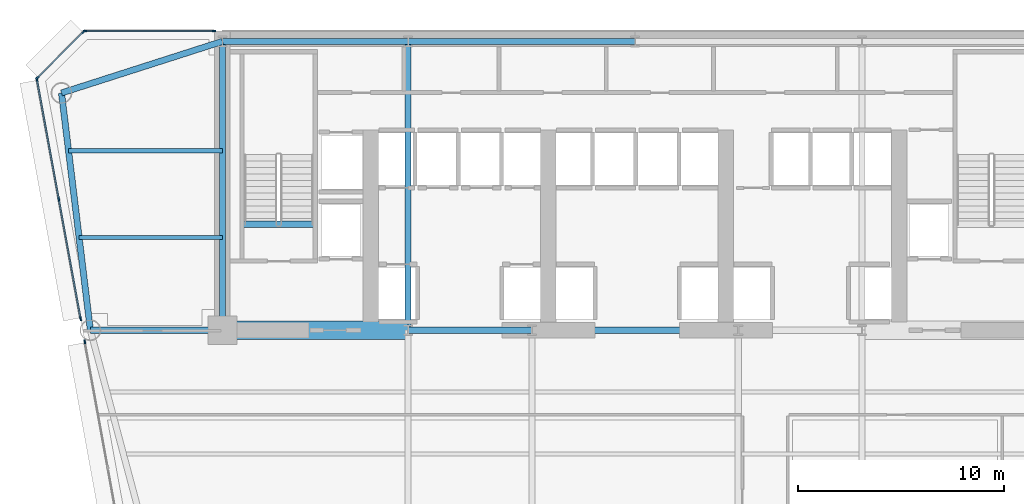
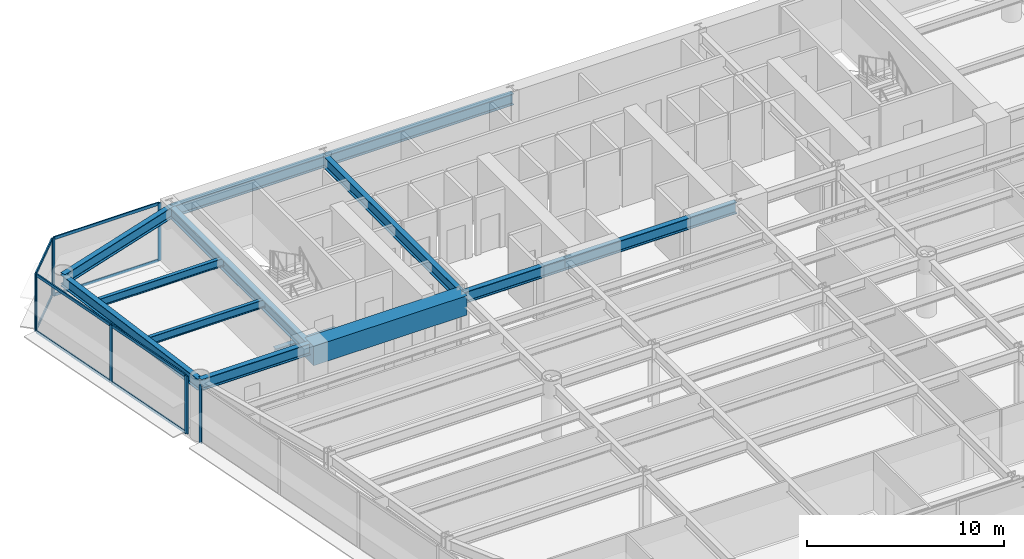
# One storey, part 6 of 15: 16 members, 13 beams, 4 elements without a shape of their own.
"""IFC4 building model written with IfcOpenShell, lengths in metres."""

import ifcopenshell
import ifcopenshell.guid

model = None  # the IFC model being written
_history = None  # IfcOwnerHistory: only IFC2X3 demands one
_inside = {}  # id of a spatial element -> (the spatial element, [elements in it])
_under = {}  # id of a project, library or spatial element -> (it, [spatial elements below it])
_declared = {}  # id of a project -> (the project, [libraries it declares])
_typed = {}  # id of a type object -> (the type object, [elements of that type])
_made_of = {}  # id of a material, layer set ... -> (it, [elements and type objects made of it])


def new_model(schema):
    """Start an empty IFC model of exactly this schema.

    Asked for "IFC4X3", IfcOpenShell would pick the latest addendum, in which some entities
    have other attributes; the version numbers below select the first issue.
    IFC2X3 requires an IfcOwnerHistory on every rooted entity: one is made here for all.
    """
    global model, _history
    if schema == "IFC4X3":
        model = ifcopenshell.file(schema_version=(4, 3, 0, 0))
    else:
        model = ifcopenshell.file(schema=schema)
    _inside.clear()
    _under.clear()
    _declared.clear()
    _typed.clear()
    _made_of.clear()
    _history = None
    if model.schema == "IFC2X3":
        org = make("IfcOrganization", Name="unknown")
        user = make(
            "IfcPersonAndOrganization",
            ThePerson=make("IfcPerson", FamilyName="unknown"),
            TheOrganization=org,
        )
        app = make(
            "IfcApplication",
            ApplicationDeveloper=org,
            Version="unknown",
            ApplicationFullName="unknown",
            ApplicationIdentifier="unknown",
        )
        _history = make(
            "IfcOwnerHistory",
            OwningUser=user,
            OwningApplication=app,
            ChangeAction="ADDED",
            CreationDate=0,
        )
    return model


def make(cls, **values):
    """One entity of the class cls with the attributes given. An attribute that is None is left unset."""
    return model.create_entity(
        cls, **{name: value for name, value in values.items() if value is not None}
    )


def rooted(cls, **values):
    """An entity with a GlobalId (a new one), such as an element, a storey or a relation."""
    return make(cls, GlobalId=ifcopenshell.guid.new(), OwnerHistory=_history, **values)


def si_unit(unit_type, name, prefix=None):
    """IfcSIUnit, for example si_unit("LENGTHUNIT", "METRE", prefix="MILLI")."""
    return make("IfcSIUnit", UnitType=unit_type, Prefix=prefix, Name=name)


def assignment(units):
    """IfcUnitAssignment: the units of a project."""
    return None if units is None else make("IfcUnitAssignment", Units=units)


def point(xyz):
    """IfcCartesianPoint."""
    return None if xyz is None else make("IfcCartesianPoint", Coordinates=xyz)


def direction(xyz):
    """IfcDirection."""
    return None if xyz is None else make("IfcDirection", DirectionRatios=xyz)


def frame(location, z_axis=None, x_axis=None):
    """IfcAxis2Placement3D, a coordinate frame: its origin and axes. An axis left out is left unset."""
    return make(
        "IfcAxis2Placement3D",
        Location=point(location),
        Axis=direction(z_axis),
        RefDirection=direction(x_axis),
    )


def frame_2d(location, x_axis=None):
    """IfcAxis2Placement2D, a coordinate frame in the plane: its origin and x axis."""
    return make(
        "IfcAxis2Placement2D", Location=point(location), RefDirection=direction(x_axis)
    )


def origin():
    """The frame at (0, 0, 0) with its axes left unset."""
    return frame((0.0, 0.0, 0.0))


def origin_2d():
    """The frame at (0, 0) in the plane with its x axis left unset."""
    return frame_2d((0.0, 0.0))


def place(relative_to, where):
    """IfcLocalPlacement: puts the frame where relative to a parent placement (None: the world)."""
    return make(
        "IfcLocalPlacement", PlacementRelTo=relative_to, RelativePlacement=where
    )


def context(
    kind, dimensions, precision=None, world=None, true_north=None, identifier=None
):
    """IfcGeometricRepresentationContext, for example the 3D "Model" context."""
    return make(
        "IfcGeometricRepresentationContext",
        ContextIdentifier=identifier,
        ContextType=kind,
        CoordinateSpaceDimension=dimensions,
        Precision=precision,
        WorldCoordinateSystem=world,
        TrueNorth=true_north,
    )


def subcontext(parent, identifier, kind, view, scale=None):
    """IfcGeometricRepresentationSubContext, for example "Body" below "Model"."""
    return make(
        "IfcGeometricRepresentationSubContext",
        ContextIdentifier=identifier,
        ContextType=kind,
        ParentContext=parent,
        TargetScale=scale,
        TargetView=view,
    )


def project(units=None, contexts=None):
    """IfcProject with its units and contexts."""
    return rooted(
        "IfcProject",
        Name="project",
        RepresentationContexts=contexts,
        UnitsInContext=assignment(units),
    )


def spatial(cls, under=None, at=None, **own):
    """A site, building, storey or space (cls), placed at a placement, below another one or the project."""
    s = rooted(cls, ObjectPlacement=at, **own)
    if under is not None:
        _under.setdefault(under.id(), (under, []))[1].append(s)
    return s


def profile(cls, at=None, kind="AREA", **sizes):
    """A parametric profile (cls). Its sizes go by their IFC names, for example OverallWidth=200.0."""
    return make(cls, ProfileType=kind, Position=at, **sizes)


def rectangle(**sizes):
    """IfcRectangleProfileDef."""
    return profile("IfcRectangleProfileDef", **sizes)


def i_section(**sizes):
    """IfcIShapeProfileDef."""
    return profile("IfcIShapeProfileDef", **sizes)


def extrude(swept, where, along, depth):
    """IfcExtrudedAreaSolid: the profile swept, set in the frame where, extruded along a direction by depth."""
    return make(
        "IfcExtrudedAreaSolid",
        SweptArea=swept,
        Position=where,
        ExtrudedDirection=direction(along),
        Depth=depth,
    )


def shape(context_of_items, identifier, shape_type, items):
    """IfcShapeRepresentation: the items that make up one representation, for example the "Body"."""
    return make(
        "IfcShapeRepresentation",
        ContextOfItems=context_of_items,
        RepresentationIdentifier=identifier,
        RepresentationType=shape_type,
        Items=items,
    )


def source(mapping_origin, context_of_items, identifier, shape_type, items):
    """IfcRepresentationMap: a shape defined once, which mapped items show again and again."""
    return make(
        "IfcRepresentationMap",
        MappingOrigin=mapping_origin,
        MappedRepresentation=shape(context_of_items, identifier, shape_type, items),
    )


def transform(
    local_origin,
    x_axis=None,
    y_axis=None,
    z_axis=None,
    scale=None,
    scale2=None,
    scale3=None,
    uniform=True,
):
    """IfcCartesianTransformationOperator3D, or its non-uniform kind. x_axis, y_axis, z_axis: its Axis1, 2, 3."""
    if uniform:
        return make(
            "IfcCartesianTransformationOperator3D",
            Axis1=direction(x_axis),
            Axis2=direction(y_axis),
            LocalOrigin=point(local_origin),
            Scale=scale,
            Axis3=direction(z_axis),
        )
    return make(
        "IfcCartesianTransformationOperator3DnonUniform",
        Axis1=direction(x_axis),
        Axis2=direction(y_axis),
        LocalOrigin=point(local_origin),
        Scale=scale,
        Axis3=direction(z_axis),
        Scale2=scale2,
        Scale3=scale3,
    )


def mapped(mapping_source, mapping_target):
    """IfcMappedItem: shows the shape of a source again, moved by a transform."""
    return make(
        "IfcMappedItem", MappingSource=mapping_source, MappingTarget=mapping_target
    )


def material(Name=None, Category=None):
    """IfcMaterial."""
    return make("IfcMaterial", Name=Name, Category=Category)


def layer(
    of_material, thickness, ventilated=None, Name=None, Category=None, Priority=None
):
    """IfcMaterialLayer: one layer of a wall or slab, of a material (None: an air gap)."""
    return make(
        "IfcMaterialLayer",
        Material=of_material,
        LayerThickness=thickness,
        IsVentilated=ventilated,
        Name=Name,
        Category=Category,
        Priority=Priority,
    )


def layer_set(layers, Name=None):
    """IfcMaterialLayerSet."""
    return make("IfcMaterialLayerSet", MaterialLayers=layers, LayerSetName=Name)


def material_profile(
    of_material, cross_section, Name=None, Category=None, Priority=None
):
    """IfcMaterialProfile: a cross section and its material."""
    return make(
        "IfcMaterialProfile",
        Name=Name,
        Material=of_material,
        Profile=cross_section,
        Priority=Priority,
        Category=Category,
    )


def profile_set(profiles, Name=None, composite=None):
    """IfcMaterialProfileSet."""
    return make(
        "IfcMaterialProfileSet",
        Name=Name,
        MaterialProfiles=profiles,
        CompositeProfile=composite,
    )


def made_of(thing, what):
    """Note that an element or type object is made of a material, layer set ...; save() writes the relation."""
    if what is not None:
        _made_of.setdefault(what.id(), (what, []))[1].append(thing)
    return thing


def type_object(cls, material=None, **own):
    """A type object (cls), such as IfcWallType, which elements share."""
    return made_of(rooted(cls, **own), material)


def element(
    cls,
    number,
    at=None,
    inside=None,
    cuts=None,
    type_object=None,
    material=None,
    context=None,
    identifier="Body",
    shape_type=None,
    held_by="IfcProductDefinitionShape",
    body=None,
    shapes=None,
    **own,
):
    """One element of the class cls, such as IfcWall. Its Tag is "e" and its number.

    at: its placement. inside: the storey or other place that contains it. cuts: it is an
    opening in that element (IfcRelVoidsElement). A single representation is given by context,
    identifier, shape_type and body (its items); several are given by shapes. held_by: the class
    of the entity that holds the representations. save() writes the other relations.
    """
    e = rooted(cls, Tag="e%d" % number, ObjectPlacement=at, **own)
    if body is not None:
        shapes = [shape(context, identifier, shape_type, body)]
    if shapes is not None:
        e.Representation = make(held_by, Representations=shapes)
    if inside is not None:
        _inside.setdefault(inside.id(), (inside, []))[1].append(e)
    if cuts is not None:
        rooted(
            "IfcRelVoidsElement", RelatingBuildingElement=cuts, RelatedOpeningElement=e
        )
    if type_object is not None:
        _typed.setdefault(type_object.id(), (type_object, []))[1].append(e)
    return made_of(e, material)


def aggregate(whole, parts):
    """IfcRelAggregates: a whole, such as a stair, and the parts it consists of."""
    return rooted("IfcRelAggregates", RelatingObject=whole, RelatedObjects=parts)


def save(model, path):
    """Write the relations noted so far, then the file.

    IfcRelAggregates (storeys below a building ...), IfcRelContainedInSpatialStructure (elements
    in a storey), IfcRelDefinesByType, IfcRelAssociatesMaterial and IfcRelDeclares: one each for
    every whole, place, type object, material and project.
    """
    for whole, parts in _under.values():
        aggregate(whole, parts)
    for where, things in _inside.values():
        rooted(
            "IfcRelContainedInSpatialStructure",
            RelatedElements=things,
            RelatingStructure=where,
        )
    for kind, things in _typed.values():
        rooted("IfcRelDefinesByType", RelatedObjects=things, RelatingType=kind)
    for what, things in _made_of.values():
        rooted("IfcRelAssociatesMaterial", RelatedObjects=things, RelatingMaterial=what)
    for by, libraries in _declared.values():
        rooted("IfcRelDeclares", RelatingContext=by, RelatedDefinitions=libraries)
    model.write(path)


model = new_model("IFC4")

# Units and contexts
model_context = context("Model", 3, precision=1e-05, world=origin(), true_north=direction((0.0, 1.0)))
body_context = subcontext(model_context, "Body", "Model", "MODEL_VIEW")
ifc_project = project(units=[si_unit("LENGTHUNIT", "METRE"), si_unit("AREAUNIT", "SQUARE_METRE"), si_unit("VOLUMEUNIT", "CUBIC_METRE"), si_unit("PLANEANGLEUNIT", "RADIAN"), si_unit("MASSUNIT", "GRAM", prefix="KILO")], contexts=[model_context])

# Site, building, storey
site_placement = place(None, origin())
site = spatial("IfcSite", under=ifc_project, at=site_placement, CompositionType="ELEMENT")
building_placement = place(site_placement, origin())
building = spatial("IfcBuilding", under=site, at=building_placement, Name="Vaeldorn Concourse Tower", CompositionType="ELEMENT")
storey_placement = place(building_placement, frame((0.0, 0.0, 95.800048828125)))
storey = spatial("IfcBuildingStorey", under=building, at=storey_placement, Name="L24", CompositionType="ELEMENT", Elevation=95.800048828125)

# Beams
ifc_material_1 = material(Name="Concrete C60/75", Category="concrete")
ifc_material_profile_1 = material_profile(ifc_material_1, rectangle(XDim=0.89990234375, YDim=1.199951171875, at=origin_2d()), Name="RC 900x1200")
ifc_profile_set_1 = profile_set([ifc_material_profile_1], Name="Concrete C60/75")
beam_type_1 = type_object("IfcBeamType", Name="BM-CB-RC900", PredefinedType="BEAM", material=ifc_profile_set_1)
shared_shape_1 = source(origin(), body_context, "Body", "SweptSolid", [
    extrude(rectangle(XDim=0.89990234375, YDim=1.199951171875, at=origin_2d()), origin(), (0.0, 0.0, 1.0), 9.0),
])
beam_1_placement = place(storey_placement, frame((14.0, 36.5, 2.97998046875), z_axis=(1.0, 0.0, 0.0), x_axis=(0.0, 1.0, 0.0)))
element("IfcBeam", 1, at=beam_1_placement, inside=storey, type_object=beam_type_1, Name="Core Coupling Beam L24-1", PredefinedType="BEAM", context=body_context, shape_type="MappedRepresentation", body=[
    mapped(shared_shape_1, transform((0.0, 0.0, 0.0), scale=1.0)),
])
ifc_material_2 = material(Name="Steel S355", Category="steel")
ifc_material_profile_2 = material_profile(ifc_material_2, i_section(OverallWidth=0.300048828125, OverallDepth=0.340087890625, WebThickness=0.011962890625, FlangeThickness=0.021484375, FilletRadius=0.027099609375, at=origin_2d()), Name="HEB 340")
ifc_profile_set_2 = profile_set([ifc_material_profile_2], Name="Steel S355")
beam_type_2 = type_object("IfcBeamType", Name="BM-ST-TRIM", PredefinedType="BEAM", material=ifc_profile_set_2)
shared_shape_2 = source(origin(), body_context, "Body", "SweptSolid", [
    extrude(i_section(OverallWidth=0.300048828125, OverallDepth=0.340087890625, WebThickness=0.011962890625, FlangeThickness=0.021484375, FilletRadius=0.027099609375, at=origin_2d()), origin(), (0.0, 0.0, 1.0), 3.590087890625),
])
beam_2_placement = place(storey_placement, frame((14.929931640625, 41.639892578125, -0.39013671875), z_axis=(1.0, 0.0, 0.0), x_axis=(0.0, 1.0, 0.0)))
element("IfcBeam", 2, at=beam_2_placement, inside=storey, type_object=beam_type_2, Name="Stair Landing Trimmer Beam ST-1 L24", PredefinedType="BEAM", context=body_context, shape_type="MappedRepresentation", body=[
    mapped(shared_shape_2, transform((0.0, 0.0, 0.0), scale=1.0)),
])
ifc_material_profile_3 = material_profile(ifc_material_2, i_section(OverallWidth=0.199951171875, OverallDepth=0.5, WebThickness=0.01025390625, FlangeThickness=0.01611328125, FilletRadius=0.02099609375, at=origin_2d()), Name="IPE 500")
ifc_profile_set_3 = profile_set([ifc_material_profile_3], Name="Steel S355")
beam_type_3 = type_object("IfcBeamType", Name="BM-JS-IPE500", PredefinedType="JOIST", material=ifc_profile_set_3)
shared_shape_3 = source(origin(), body_context, "Body", "SweptSolid", [
    extrude(i_section(OverallWidth=0.199951171875, OverallDepth=0.5, WebThickness=0.01025390625, FlangeThickness=0.01611328125, FilletRadius=0.02099609375, at=origin_2d()), origin(), (0.0, 0.0, 1.0), 6.94775390625),
])
beam_3_placement = place(storey_placement, frame((7.05224609375, 41.0, 3.329833984375), z_axis=(1.0, 0.0, 0.0), x_axis=(0.0, 1.0, 0.0)))
element("IfcBeam", 3, at=beam_3_placement, inside=storey, type_object=beam_type_3, Name="Beam JS-L24-NW-410", PredefinedType="JOIST", context=body_context, shape_type="MappedRepresentation", body=[
    mapped(shared_shape_3, transform((0.0, 0.0, 0.0), scale=1.0)),
])
shared_shape_4 = source(origin(), body_context, "Body", "SweptSolid", [
    extrude(i_section(OverallWidth=0.199951171875, OverallDepth=0.5, WebThickness=0.01025390625, FlangeThickness=0.01611328125, FilletRadius=0.02099609375, at=origin_2d()), origin(), (0.0, 0.0, 1.0), 7.458984375),
])
beam_4_placement = place(storey_placement, frame((6.541015625, 45.199951171875, 3.329833984375), z_axis=(1.0, 0.0, 0.0), x_axis=(0.0, 1.0, 0.0)))
element("IfcBeam", 4, at=beam_4_placement, inside=storey, type_object=beam_type_3, Name="Beam JS-L24-NW-452", PredefinedType="JOIST", context=body_context, shape_type="MappedRepresentation", body=[
    mapped(shared_shape_4, transform((0.0, 0.0, 0.0), scale=1.0)),
])
ifc_material_profile_4 = material_profile(ifc_material_2, i_section(OverallWidth=0.300048828125, OverallDepth=0.699951171875, WebThickness=0.01708984375, FlangeThickness=0.031982421875, FilletRadius=0.027099609375, at=origin_2d()), Name="HEB 700")
ifc_profile_set_4 = profile_set([ifc_material_profile_4], Name="Steel S355")
beam_type_4 = type_object("IfcBeamType", Name="BM-PG-HEB700", PredefinedType="BEAM", material=ifc_profile_set_4)
shared_shape_5 = source(origin(), body_context, "Body", "SweptSolid", [
    extrude(i_section(OverallWidth=0.300048828125, OverallDepth=0.699951171875, WebThickness=0.01708984375, FlangeThickness=0.031982421875, FilletRadius=0.027099609375, at=origin_2d()), origin(), (0.0, 0.0, 1.0), 6.0),
])
beam_5_placement = place(storey_placement, frame((23.0, 36.5, 3.22998046875), z_axis=(1.0, 0.0, 0.0), x_axis=(0.0, 1.0, 0.0)))
element("IfcBeam", 5, at=beam_5_placement, inside=storey, type_object=beam_type_4, Name="Beam BM-L24-C-FC2-C-FC3", PredefinedType="BEAM", context=body_context, shape_type="MappedRepresentation", body=[
    mapped(shared_shape_5, transform((0.0, 0.0, 0.0), scale=1.0)),
])
shared_shape_6 = source(origin(), body_context, "Body", "SweptSolid", [
    extrude(i_section(OverallWidth=0.300048828125, OverallDepth=0.699951171875, WebThickness=0.01708984375, FlangeThickness=0.031982421875, FilletRadius=0.027099609375, at=origin_2d()), origin(), (0.0, 0.0, 1.0), 10.0),
])
beam_6_placement = place(storey_placement, frame((29.0, 36.5, 3.22998046875), z_axis=(1.0, 0.0, 0.0), x_axis=(0.0, 1.0, 0.0)))
element("IfcBeam", 6, at=beam_6_placement, inside=storey, type_object=beam_type_4, Name="Beam BM-L24-C-FC3-C-FC4", PredefinedType="BEAM", context=body_context, shape_type="MappedRepresentation", body=[
    mapped(shared_shape_6, transform((0.0, 0.0, 0.0), scale=1.0)),
])
shared_shape_7 = source(origin(), body_context, "Body", "SweptSolid", [
    extrude(i_section(OverallWidth=0.300048828125, OverallDepth=0.699951171875, WebThickness=0.01708984375, FlangeThickness=0.031982421875, FilletRadius=0.027099609375, at=origin_2d()), origin(), (0.0, 0.0, 1.0), 9.0),
])
beam_7_placement = place(storey_placement, frame((14.0, 50.5, 3.22998046875), z_axis=(1.0, 0.0, 0.0), x_axis=(0.0, 1.0, 0.0)))
element("IfcBeam", 7, at=beam_7_placement, inside=storey, type_object=beam_type_4, Name="Beam BM-L24-C-HC1-C-HC2", PredefinedType="BEAM", context=body_context, shape_type="MappedRepresentation", body=[
    mapped(shared_shape_7, transform((0.0, 0.0, 0.0), scale=1.0)),
])
shared_shape_8 = source(origin(), body_context, "Body", "SweptSolid", [
    extrude(i_section(OverallWidth=0.300048828125, OverallDepth=0.699951171875, WebThickness=0.01708984375, FlangeThickness=0.031982421875, FilletRadius=0.027099609375, at=origin_2d()), origin(), (0.0, 0.0, 1.0), 11.0),
])
beam_8_placement = place(storey_placement, frame((23.0, 50.5, 3.22998046875), z_axis=(1.0, 0.0, 0.0), x_axis=(0.0, 1.0, 0.0)))
element("IfcBeam", 8, at=beam_8_placement, inside=storey, type_object=beam_type_4, Name="Beam BM-L24-C-HC2-C-HC3", PredefinedType="BEAM", context=body_context, shape_type="MappedRepresentation", body=[
    mapped(shared_shape_8, transform((0.0, 0.0, 0.0), scale=1.0)),
])
shared_shape_9 = source(origin(), body_context, "Body", "SweptSolid", [
    extrude(i_section(OverallWidth=0.300048828125, OverallDepth=0.699951171875, WebThickness=0.01708984375, FlangeThickness=0.031982421875, FilletRadius=0.027099609375, at=origin_2d()), origin(), (0.0, 0.0, 1.0), 14.0),
])
for number, where, z_axis, x_axis, name in (
    (9, (14.0, 36.5, 3.22998046875), (0.0, 1.0, 0.0), (-1.0, 0.0, 0.0), "Beam BM-L24-C-FC1-C-HC1"),
    (10, (23.0, 36.5, 3.22998046875), (0.0, 1.0, 0.0), (-1.0, 0.0, 0.0), "Beam BM-L24-C-FC2-C-HC2"),
):
    element("IfcBeam", number, at=place(storey_placement, frame(where, z_axis=z_axis, x_axis=x_axis)), inside=storey, type_object=beam_type_4, Name=name, PredefinedType="BEAM", context=body_context, shape_type="MappedRepresentation", body=[
        mapped(shared_shape_9, transform((0.0, 0.0, 0.0), scale=1.0)),
    ])
shared_shape_10 = source(origin(), body_context, "Body", "SweptSolid", [
    extrude(i_section(OverallWidth=0.300048828125, OverallDepth=0.699951171875, WebThickness=0.01708984375, FlangeThickness=0.031982421875, FilletRadius=0.027099609375, at=origin_2d()), origin(), (0.0, 0.0, 1.0), 8.19091796875),
])
beam_9_placement = place(storey_placement, frame((6.199951171875, 48.0, 3.22998046875), z_axis=(0.952282843383, 0.305216949396, 0.0), x_axis=(-0.305216949396, 0.952282843383, 0.0)))
element("IfcBeam", 11, at=beam_9_placement, inside=storey, type_object=beam_type_4, Name="Beam BM-L24-C-NW1-C-HC1", PredefinedType="BEAM", context=body_context, shape_type="MappedRepresentation", body=[
    mapped(shared_shape_10, transform((0.0, 0.0, 0.0), scale=1.0)),
])
shared_shape_11 = source(origin(), body_context, "Body", "SweptSolid", [
    extrude(i_section(OverallWidth=0.300048828125, OverallDepth=0.699951171875, WebThickness=0.01708984375, FlangeThickness=0.031982421875, FilletRadius=0.027099609375, at=origin_2d()), origin(), (0.0, 0.0, 1.0), 11.5849609375),
])
beam_10_placement = place(storey_placement, frame((6.199951171875, 48.0, 3.22998046875), z_axis=(0.120859382899, -0.992669637677, 0.0), x_axis=(0.992669637677, 0.120859382899, 0.0)))
element("IfcBeam", 12, at=beam_10_placement, inside=storey, type_object=beam_type_4, Name="Beam BM-L24-C-NW1-C-NW2", PredefinedType="BEAM", context=body_context, shape_type="MappedRepresentation", body=[
    mapped(shared_shape_11, transform((0.0, 0.0, 0.0), scale=1.0)),
])
shared_shape_12 = source(origin(), body_context, "Body", "SweptSolid", [
    extrude(i_section(OverallWidth=0.300048828125, OverallDepth=0.699951171875, WebThickness=0.01708984375, FlangeThickness=0.031982421875, FilletRadius=0.027099609375, at=origin_2d()), origin(), (0.0, 0.0, 1.0), 6.39990234375),
])
beam_11_placement = place(storey_placement, frame((7.60009765625, 36.5, 3.22998046875), z_axis=(1.0, 0.0, 0.0), x_axis=(0.0, 1.0, 0.0)))
element("IfcBeam", 13, at=beam_11_placement, inside=storey, type_object=beam_type_4, Name="Beam BM-L24-C-NW2-C-FC1", PredefinedType="BEAM", context=body_context, shape_type="MappedRepresentation", body=[
    mapped(shared_shape_12, transform((0.0, 0.0, 0.0), scale=1.0)),
])

# Curtain wall, members
ifc_material_3 = material(Name="Anodised Bronze Aluminium", Category="aluminium")
ifc_layer = layer(ifc_material_3, 0.199951171875)
ifc_layer_set = layer_set([ifc_layer], Name="Anodised Bronze Aluminium")
curtain_wall_type = type_object("IfcCurtainWallType", Name="CW-SYS-02", PredefinedType="NOTDEFINED", material=ifc_layer_set)
curtain_wall_1_placement = place(storey_placement, origin())
curtain_wall_1 = element("IfcCurtainWall", 14, at=curtain_wall_1_placement, inside=storey, type_object=curtain_wall_type, Name="Unitised Curtain Wall CW-L24-E10-1", PredefinedType="NOTDEFINED")
ifc_material_profile_5 = material_profile(ifc_material_3, rectangle(XDim=0.074951171875, YDim=0.179931640625, at=origin_2d()), Name="CWT 75x180")
ifc_profile_set_5 = profile_set([ifc_material_profile_5], Name="Anodised Bronze Aluminium")
member_type_1 = type_object("IfcMemberType", Name="CWT-BRONZE-180", PredefinedType="USERDEFINED", material=ifc_profile_set_5)
shared_shape_13 = source(origin(), body_context, "Body", "SweptSolid", [
    extrude(rectangle(XDim=0.074951171875, YDim=0.179931640625, at=origin_2d()), origin(), (0.0, 0.0, 1.0), 3.10302734375),
])
member_1_placement = place(storey_placement, frame((7.2470703125, 50.947021484375, 0.037353515625), z_axis=(-0.707106781187, -0.707106781187, 0.0), x_axis=(0.707106781187, -0.707106781187, 0.0)))
member_1 = element("IfcMember", 15, at=member_1_placement, type_object=member_type_1, Name="CW-02 transom 1.1", ObjectType="TRANSOM", PredefinedType="USERDEFINED", context=body_context, shape_type="MappedRepresentation", body=[
    mapped(shared_shape_13, transform((0.0, 0.0, 0.0), scale=1.0)),
])
member_2_placement = place(storey_placement, frame((7.2470703125, 50.947021484375, 3.54248046875), z_axis=(-0.707106781187, -0.707106781187, 0.0), x_axis=(0.707106781187, -0.707106781187, 0.0)))
member_2 = element("IfcMember", 16, at=member_2_placement, type_object=member_type_1, Name="CW-02 transom 1.2", ObjectType="TRANSOM", PredefinedType="USERDEFINED", context=body_context, shape_type="MappedRepresentation", body=[
    mapped(shared_shape_13, transform((0.0, 0.0, 0.0), scale=1.0)),
])

curtain_wall_2_placement = place(storey_placement, origin())
curtain_wall_2 = element("IfcCurtainWall", 17, at=curtain_wall_2_placement, inside=storey, type_object=curtain_wall_type, Name="Unitised Curtain Wall CW-L24-E09-2", PredefinedType="NOTDEFINED")
shared_shape_14 = source(origin(), body_context, "Body", "SweptSolid", [
    extrude(rectangle(XDim=0.074951171875, YDim=0.179931640625, at=origin_2d()), origin(), (0.0, 0.0, 1.0), 6.179931640625),
])
member_3_placement = place(storey_placement, frame((13.554931640625, 51.0, 0.037353515625), z_axis=(-1.0, 0.0, 0.0), x_axis=(0.0, -1.0, 0.0)))
member_3 = element("IfcMember", 18, at=member_3_placement, type_object=member_type_1, Name="CW-02 transom 1.1", ObjectType="TRANSOM", PredefinedType="USERDEFINED", context=body_context, shape_type="MappedRepresentation", body=[
    mapped(shared_shape_14, transform((0.0, 0.0, 0.0), scale=1.0)),
])
member_4_placement = place(storey_placement, frame((13.554931640625, 51.0, 3.54248046875), z_axis=(-1.0, 0.0, 0.0), x_axis=(0.0, -1.0, 0.0)))
member_4 = element("IfcMember", 19, at=member_4_placement, type_object=member_type_1, Name="CW-02 transom 1.2", ObjectType="TRANSOM", PredefinedType="USERDEFINED", context=body_context, shape_type="MappedRepresentation", body=[
    mapped(shared_shape_14, transform((0.0, 0.0, 0.0), scale=1.0)),
])

curtain_wall_3_placement = place(storey_placement, origin())
curtain_wall_3 = element("IfcCurtainWall", 20, at=curtain_wall_3_placement, inside=storey, type_object=curtain_wall_type, Name="Unitised Curtain Wall CW-L24-E11-1", PredefinedType="NOTDEFINED")
shared_shape_15 = source(origin(), body_context, "Body", "SweptSolid", [
    extrude(rectangle(XDim=0.074951171875, YDim=0.179931640625, at=origin_2d()), origin(), (0.0, 0.0, 1.0), 5.824951171875),
])
member_5_placement = place(storey_placement, frame((5.013427734375, 48.626220703125, 0.037353515625), z_axis=(0.179556680361, -0.983747629495, 0.0), x_axis=(0.983747629495, 0.179556680361, 0.0)))
member_5 = element("IfcMember", 21, at=member_5_placement, type_object=member_type_1, Name="CW-02 transom 1.1", ObjectType="TRANSOM", PredefinedType="USERDEFINED", context=body_context, shape_type="MappedRepresentation", body=[
    mapped(shared_shape_15, transform((0.0, 0.0, 0.0), scale=1.0)),
])
member_6_placement = place(storey_placement, frame((5.013427734375, 48.626220703125, 3.54248046875), z_axis=(0.179556680361, -0.983747629495, 0.0), x_axis=(0.983747629495, 0.179556680361, 0.0)))
member_6 = element("IfcMember", 22, at=member_6_placement, type_object=member_type_1, Name="CW-02 transom 1.2", ObjectType="TRANSOM", PredefinedType="USERDEFINED", context=body_context, shape_type="MappedRepresentation", body=[
    mapped(shared_shape_15, transform((0.0, 0.0, 0.0), scale=1.0)),
])
member_7_placement = place(storey_placement, frame((6.072998046875, 42.822021484375, 0.037353515625), z_axis=(0.179556680361, -0.983747629495, 0.0), x_axis=(0.983747629495, 0.179556680361, 0.0)))
member_7 = element("IfcMember", 23, at=member_7_placement, type_object=member_type_1, Name="CW-02 transom 2.1", ObjectType="TRANSOM", PredefinedType="USERDEFINED", context=body_context, shape_type="MappedRepresentation", body=[
    mapped(shared_shape_15, transform((0.0, 0.0, 0.0), scale=1.0)),
])
member_8_placement = place(storey_placement, frame((6.072998046875, 42.822021484375, 3.54248046875), z_axis=(0.179556680361, -0.983747629495, 0.0), x_axis=(0.983747629495, 0.179556680361, 0.0)))
member_8 = element("IfcMember", 24, at=member_8_placement, type_object=member_type_1, Name="CW-02 transom 2.2", ObjectType="TRANSOM", PredefinedType="USERDEFINED", context=body_context, shape_type="MappedRepresentation", body=[
    mapped(shared_shape_15, transform((0.0, 0.0, 0.0), scale=1.0)),
])

# Member
ifc_material_profile_6 = material_profile(ifc_material_3, rectangle(XDim=0.074951171875, YDim=0.18994140625, at=origin_2d()), Name="CWM 75x190")
ifc_profile_set_6 = profile_set([ifc_material_profile_6], Name="Anodised Bronze Aluminium")
member_type_2 = type_object("IfcMemberType", Name="CWM-BRONZE-190", PredefinedType="MULLION", material=ifc_profile_set_6)
shared_shape_16 = source(origin(), body_context, "Body", "SweptSolid", [
    extrude(rectangle(XDim=0.074951171875, YDim=0.18994140625, at=origin_2d()), origin(), (0.0, 0.0, 1.0), 3.579833984375),
])
member_9_placement = place(storey_placement, frame((13.592529296875, 51.0, 0.0), z_axis=(0.0, 0.0, 1.0), x_axis=(0.0, -1.0, 0.0)))
member_9 = element("IfcMember", 25, at=member_9_placement, type_object=member_type_2, Name="CW-02 mullion 1", PredefinedType="MULLION", context=body_context, shape_type="MappedRepresentation", body=[
    mapped(shared_shape_16, transform((0.0, 0.0, 0.0), scale=1.0)),
])

member_10_placement = place(storey_placement, frame((7.33740234375, 51.0, 0.0), z_axis=(0.0, 0.0, 1.0), x_axis=(0.0, -1.0, 0.0)))
member_10 = element("IfcMember", 26, at=member_10_placement, type_object=member_type_2, Name="CW-02 mullion 2", PredefinedType="MULLION", context=body_context, shape_type="MappedRepresentation", body=[
    mapped(shared_shape_16, transform((0.0, 0.0, 0.0), scale=1.0)),
])

aggregate(curtain_wall_2, [member_9, member_10, member_3, member_4])

member_11_placement = place(storey_placement, frame((7.2734375, 50.973388671875, 0.0), z_axis=(0.0, 0.0, 1.0), x_axis=(0.707106781187, -0.707106781187, 0.0)))
member_11 = element("IfcMember", 27, at=member_11_placement, type_object=member_type_2, Name="CW-02 mullion 1", PredefinedType="MULLION", context=body_context, shape_type="MappedRepresentation", body=[
    mapped(shared_shape_16, transform((0.0, 0.0, 0.0), scale=1.0)),
])

member_12_placement = place(storey_placement, frame((5.026611328125, 48.7265625, 0.0), z_axis=(0.0, 0.0, 1.0), x_axis=(0.707106781187, -0.707106781187, 0.0)))
member_12 = element("IfcMember", 28, at=member_12_placement, type_object=member_type_2, Name="CW-02 mullion 2", PredefinedType="MULLION", context=body_context, shape_type="MappedRepresentation", body=[
    mapped(shared_shape_16, transform((0.0, 0.0, 0.0), scale=1.0)),
])

aggregate(curtain_wall_1, [member_11, member_12, member_1, member_2])

member_13_placement = place(storey_placement, frame((5.0068359375, 48.6630859375, 0.0), z_axis=(0.0, 0.0, 1.0), x_axis=(0.98374666282, 0.179561976462, 0.0)))
member_13 = element("IfcMember", 29, at=member_13_placement, type_object=member_type_2, Name="CW-02 mullion 1", PredefinedType="MULLION", context=body_context, shape_type="MappedRepresentation", body=[
    mapped(shared_shape_16, transform((0.0, 0.0, 0.0), scale=1.0)),
])

member_14_placement = place(storey_placement, frame((6.066162109375, 42.85888671875, 0.0), z_axis=(0.0, 0.0, 1.0), x_axis=(0.98374666282, 0.179561976462, 0.0)))
member_14 = element("IfcMember", 30, at=member_14_placement, type_object=member_type_2, Name="CW-02 mullion 2", PredefinedType="MULLION", context=body_context, shape_type="MappedRepresentation", body=[
    mapped(shared_shape_16, transform((0.0, 0.0, 0.0), scale=1.0)),
])

member_15_placement = place(storey_placement, frame((7.12548828125, 37.054931640625, 0.0), z_axis=(0.0, 0.0, 1.0), x_axis=(0.98374666282, 0.179561976462, 0.0)))
member_15 = element("IfcMember", 31, at=member_15_placement, type_object=member_type_2, Name="CW-02 mullion 3", PredefinedType="MULLION", context=body_context, shape_type="MappedRepresentation", body=[
    mapped(shared_shape_16, transform((0.0, 0.0, 0.0), scale=1.0)),
])

aggregate(curtain_wall_3, [member_13, member_14, member_15, member_5, member_6, member_7, member_8])

# Curtain wall, member
curtain_wall_4_placement = place(storey_placement, origin())
curtain_wall_4 = element("IfcCurtainWall", 32, at=curtain_wall_4_placement, inside=storey, type_object=curtain_wall_type, Name="Unitised Curtain Wall CW-L24-E11-2", PredefinedType="NOTDEFINED")
member_16_placement = place(storey_placement, frame((7.328125, 35.945068359375, 0.0), z_axis=(0.0, 0.0, 1.0), x_axis=(0.983745706576, 0.179567215253, 0.0)))
member_16 = element("IfcMember", 33, at=member_16_placement, type_object=member_type_2, Name="CW-02 mullion 1", PredefinedType="MULLION", context=body_context, shape_type="MappedRepresentation", body=[
    mapped(shared_shape_16, transform((0.0, 0.0, 0.0), scale=1.0)),
])
aggregate(curtain_wall_4, [member_16])

save(model, "model.ifc")
